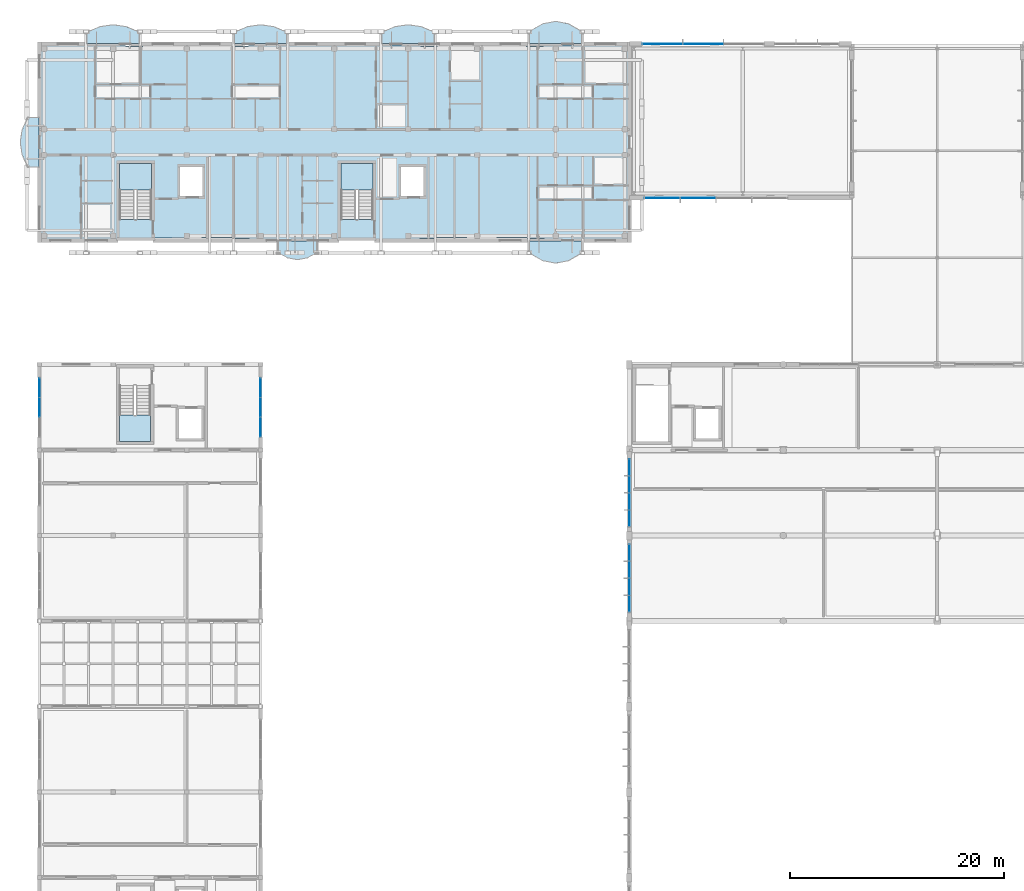
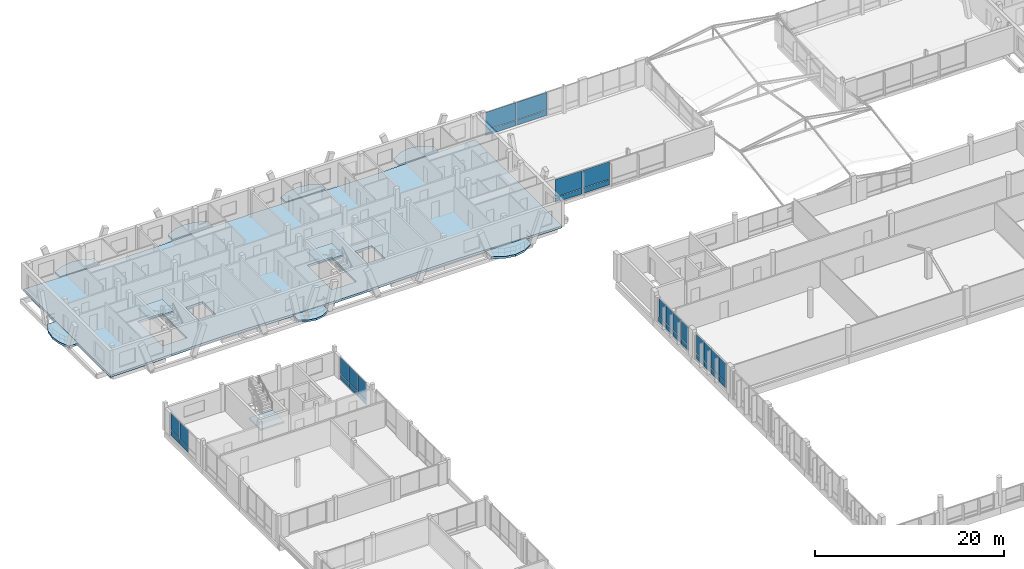
# One storey, part 128 of 189: 34 plates, 11 slabs, 9 elements without a shape of their own.
"""IFC4 building model written with IfcOpenShell, lengths in metres."""

from ifc_helpers import new_model, si_unit, direction, frame, origin, origin_2d, place, context, subcontext, project, spatial, polyline, rectangle, outline, extrude, material, layer, layer_set, type_object, element, aggregate, save


model = new_model("IFC4")

# Units and contexts
model_context = context("Model", 3, precision=1e-05, world=origin(), true_north=direction((0.0, 1.0)))
body_context = subcontext(model_context, "Body", "Model", "MODEL_VIEW")
ifc_project = project(units=[si_unit("LENGTHUNIT", "METRE"), si_unit("AREAUNIT", "SQUARE_METRE"), si_unit("VOLUMEUNIT", "CUBIC_METRE"), si_unit("PLANEANGLEUNIT", "RADIAN"), si_unit("MASSUNIT", "GRAM", prefix="KILO")], contexts=[model_context])

# Site, building, storey
site_placement = place(None, origin())
site = spatial("IfcSite", under=ifc_project, at=site_placement, CompositionType="ELEMENT")
building_placement = place(site_placement, origin())
building = spatial("IfcBuilding", under=site, at=building_placement, Name="Zavelmont Quarter", CompositionType="ELEMENT")
storey_placement = place(building_placement, frame((0.0, 0.0, 4.39990234375)))
storey = spatial("IfcBuildingStorey", under=building, at=storey_placement, Name="L01", CompositionType="ELEMENT", Elevation=4.39990234375)

# Curtain wall, plates
ifc_material_1 = material(Name="Thermally broken aluminium and double low-E safety glazing", Category="aluminium")
curtain_wall_type_1 = type_object("IfcCurtainWallType", Name="CW-640X314", PredefinedType="NOTDEFINED", material=ifc_material_1)
curtain_wall_1_placement = place(storey_placement, origin())
curtain_wall_1 = element("IfcCurtainWall", 1, at=curtain_wall_1_placement, inside=storey, type_object=curtain_wall_type_1, Name="L01 unitised curtain wall CW-640X314", PredefinedType="NOTDEFINED")
ifc_material_2 = material(Name="Insulated anodised-aluminium spandrel panel", Category="aluminium")
ifc_layer_1 = layer(ifc_material_2, 0.0400390625)
ifc_layer_set_1 = layer_set([ifc_layer_1], Name="Insulated anodised-aluminium spandrel panel")
plate_type_1 = type_object("IfcPlateType", Name="CWP-SPD-1495X650", PredefinedType="CURTAIN_PANEL", material=ifc_layer_set_1)
plate_1_placement = place(storey_placement, frame((55.199951171875, 71.617431640625, 0.070068359375), z_axis=(0.0, 0.0, 1.0), x_axis=(0.0, 1.0, 0.0)))
plate_1 = element("IfcPlate", 2, at=plate_1_placement, type_object=plate_type_1, Name="CW-640X314 panel 1.1", PredefinedType="CURTAIN_PANEL", context=body_context, shape_type="SweptSolid", body=[
    extrude(rectangle(XDim=1.4951171875, YDim=0.0400390625, at=origin_2d()), origin(), (0.0, 0.0, 1.0), 0.64990234375),
])
plate_2_placement = place(storey_placement, frame((55.199951171875, 76.382568359375, 0.070068359375), z_axis=(0.0, 0.0, 1.0), x_axis=(0.0, 1.0, 0.0)))
plate_2 = element("IfcPlate", 3, at=plate_2_placement, type_object=plate_type_1, Name="CW-640X314 panel 4.1", PredefinedType="CURTAIN_PANEL", context=body_context, shape_type="SweptSolid", body=[
    extrude(rectangle(XDim=1.4951171875, YDim=0.0400390625, at=origin_2d()), origin(), (0.0, 0.0, 1.0), 0.64990234375),
])

curtain_wall_type_2 = type_object("IfcCurtainWallType", Name="CW-640X334", PredefinedType="NOTDEFINED", material=ifc_material_1)
curtain_wall_2_placement = place(storey_placement, origin())
curtain_wall_2 = element("IfcCurtainWall", 4, at=curtain_wall_2_placement, inside=storey, type_object=curtain_wall_type_2, Name="L01 unitised curtain wall CW-640X334", PredefinedType="NOTDEFINED")
ifc_layer_2 = layer(ifc_material_2, 0.0400390625)
ifc_layer_set_2 = layer_set([ifc_layer_2], Name="Insulated anodised-aluminium spandrel panel")
plate_type_2 = type_object("IfcPlateType", Name="CWP-SPD-1495X695", PredefinedType="CURTAIN_PANEL", material=ifc_layer_set_2)
plate_3_placement = place(storey_placement, frame((55.199951171875, 63.617431640625, 0.0703125), z_axis=(0.0, 0.0, 1.0), x_axis=(0.0, 1.0, 0.0)))
plate_3 = element("IfcPlate", 5, at=plate_3_placement, type_object=plate_type_2, Name="CW-640X334 panel 1.1", PredefinedType="CURTAIN_PANEL", context=body_context, shape_type="SweptSolid", body=[
    extrude(rectangle(XDim=1.4951171875, YDim=0.0400390625, at=origin_2d()), origin(), (0.0, 0.0, 1.0), 0.697021484375),
])
plate_4_placement = place(storey_placement, frame((55.199951171875, 68.382568359375, 0.0703125), z_axis=(0.0, 0.0, 1.0), x_axis=(0.0, 1.0, 0.0)))
plate_4 = element("IfcPlate", 6, at=plate_4_placement, type_object=plate_type_2, Name="CW-640X334 panel 4.1", PredefinedType="CURTAIN_PANEL", context=body_context, shape_type="SweptSolid", body=[
    extrude(rectangle(XDim=1.4951171875, YDim=0.0400390625, at=origin_2d()), origin(), (0.0, 0.0, 1.0), 0.697021484375),
])

# Plate
ifc_layer_3 = layer(ifc_material_2, 0.0400390625)
ifc_layer_set_3 = layer_set([ifc_layer_3], Name="Insulated anodised-aluminium spandrel panel")
plate_type_3 = type_object("IfcPlateType", Name="CWP-SPD-1530X650", PredefinedType="CURTAIN_PANEL", material=ifc_layer_set_3)
plate_5_placement = place(storey_placement, frame((55.199951171875, 73.199951171875, 0.070068359375), z_axis=(0.0, 0.0, 1.0), x_axis=(0.0, 1.0, 0.0)))
plate_5 = element("IfcPlate", 7, at=plate_5_placement, type_object=plate_type_3, Name="CW-640X314 panel 2.1", PredefinedType="CURTAIN_PANEL", context=body_context, shape_type="SweptSolid", body=[
    extrude(rectangle(XDim=1.530029296875, YDim=0.0400390625, at=origin_2d()), origin(), (0.0, 0.0, 1.0), 0.64990234375),
])

plate_6_placement = place(storey_placement, frame((55.199951171875, 74.800048828125, 0.070068359375), z_axis=(0.0, 0.0, 1.0), x_axis=(0.0, 1.0, 0.0)))
plate_6 = element("IfcPlate", 8, at=plate_6_placement, type_object=plate_type_3, Name="CW-640X314 panel 3.1", PredefinedType="CURTAIN_PANEL", context=body_context, shape_type="SweptSolid", body=[
    extrude(rectangle(XDim=1.530029296875, YDim=0.0400390625, at=origin_2d()), origin(), (0.0, 0.0, 1.0), 0.64990234375),
])

ifc_layer_4 = layer(ifc_material_2, 0.0400390625)
ifc_layer_set_4 = layer_set([ifc_layer_4], Name="Insulated anodised-aluminium spandrel panel")
plate_type_4 = type_object("IfcPlateType", Name="CWP-SPD-1530X695", PredefinedType="CURTAIN_PANEL", material=ifc_layer_set_4)
plate_7_placement = place(storey_placement, frame((55.199951171875, 65.199951171875, 0.0703125), z_axis=(0.0, 0.0, 1.0), x_axis=(0.0, 1.0, 0.0)))
plate_7 = element("IfcPlate", 9, at=plate_7_placement, type_object=plate_type_4, Name="CW-640X334 panel 2.1", PredefinedType="CURTAIN_PANEL", context=body_context, shape_type="SweptSolid", body=[
    extrude(rectangle(XDim=1.530029296875, YDim=0.0400390625, at=origin_2d()), origin(), (0.0, 0.0, 1.0), 0.697021484375),
])

plate_8_placement = place(storey_placement, frame((55.199951171875, 66.800048828125, 0.0703125), z_axis=(0.0, 0.0, 1.0), x_axis=(0.0, 1.0, 0.0)))
plate_8 = element("IfcPlate", 10, at=plate_8_placement, type_object=plate_type_4, Name="CW-640X334 panel 3.1", PredefinedType="CURTAIN_PANEL", context=body_context, shape_type="SweptSolid", body=[
    extrude(rectangle(XDim=1.530029296875, YDim=0.0400390625, at=origin_2d()), origin(), (0.0, 0.0, 1.0), 0.697021484375),
])

# Curtain wall, plate
curtain_wall_type_3 = type_object("IfcCurtainWallType", Name="CW-560X296", PredefinedType="NOTDEFINED", material=ifc_material_1)
curtain_wall_3_placement = place(storey_placement, origin())
curtain_wall_3 = element("IfcCurtainWall", 11, at=curtain_wall_3_placement, inside=storey, type_object=curtain_wall_type_3, Name="L01 unitised curtain wall CW-560X296", PredefinedType="NOTDEFINED")
ifc_layer_5 = layer(ifc_material_2, 0.0400390625)
ifc_layer_set_5 = layer_set([ifc_layer_5], Name="Insulated anodised-aluminium spandrel panel")
plate_type_5 = type_object("IfcPlateType", Name="CWP-SPD-1775X620", PredefinedType="CURTAIN_PANEL", material=ifc_layer_set_5)
plate_9_placement = place(storey_placement, frame((0.0, 83.8515625, 0.06005859375), z_axis=(0.0, 0.0, 1.0), x_axis=(0.0, 1.0, 0.0)))
plate_9 = element("IfcPlate", 12, at=plate_9_placement, type_object=plate_type_5, Name="CW-560X296 panel 3.1", PredefinedType="CURTAIN_PANEL", context=body_context, shape_type="SweptSolid", body=[
    extrude(rectangle(XDim=1.776611328125, YDim=0.0400390625, at=origin_2d()), origin(), (0.0, 0.0, 1.0), 0.6201171875),
])

# Curtain wall, plates
curtain_wall_4_placement = place(storey_placement, origin())
curtain_wall_4 = element("IfcCurtainWall", 13, at=curtain_wall_4_placement, inside=storey, type_object=curtain_wall_type_3, Name="L01 unitised curtain wall CW-560X296", PredefinedType="NOTDEFINED")
plate_10_placement = place(storey_placement, frame((20.699951171875, 80.1484375, 0.06005859375), z_axis=(0.0, 0.0, 1.0), x_axis=(0.0, 1.0, 0.0)))
plate_10 = element("IfcPlate", 14, at=plate_10_placement, type_object=plate_type_5, Name="CW-560X296 panel 1.1", PredefinedType="CURTAIN_PANEL", context=body_context, shape_type="SweptSolid", body=[
    extrude(rectangle(XDim=1.776611328125, YDim=0.0400390625, at=origin_2d()), origin(), (0.0, 0.0, 1.0), 0.6201171875),
])
plate_11_placement = place(storey_placement, frame((20.699951171875, 83.8515625, 0.06005859375), z_axis=(0.0, 0.0, 1.0), x_axis=(0.0, 1.0, 0.0)))
plate_11 = element("IfcPlate", 15, at=plate_11_placement, type_object=plate_type_5, Name="CW-560X296 panel 3.1", PredefinedType="CURTAIN_PANEL", context=body_context, shape_type="SweptSolid", body=[
    extrude(rectangle(XDim=1.776611328125, YDim=0.0400390625, at=origin_2d()), origin(), (0.0, 0.0, 1.0), 0.6201171875),
])

# Plate
ifc_layer_6 = layer(ifc_material_2, 0.0400390625)
ifc_layer_set_6 = layer_set([ifc_layer_6], Name="Insulated anodised-aluminium spandrel panel")
plate_type_6 = type_object("IfcPlateType", Name="CWP-SPD-1805X620", PredefinedType="CURTAIN_PANEL", material=ifc_layer_set_6)
plate_12_placement = place(storey_placement, frame((0.0, 82.0, 0.06005859375), z_axis=(0.0, 0.0, 1.0), x_axis=(0.0, 1.0, 0.0)))
plate_12 = element("IfcPlate", 16, at=plate_12_placement, type_object=plate_type_6, Name="CW-560X296 panel 2.1", PredefinedType="CURTAIN_PANEL", context=body_context, shape_type="SweptSolid", body=[
    extrude(rectangle(XDim=1.806640625, YDim=0.0400390625, at=origin_2d()), origin(), (0.0, 0.0, 1.0), 0.6201171875),
])

plate_13_placement = place(storey_placement, frame((20.699951171875, 82.0, 0.06005859375), z_axis=(0.0, 0.0, 1.0), x_axis=(0.0, 1.0, 0.0)))
plate_13 = element("IfcPlate", 17, at=plate_13_placement, type_object=plate_type_6, Name="CW-560X296 panel 2.1", PredefinedType="CURTAIN_PANEL", context=body_context, shape_type="SweptSolid", body=[
    extrude(rectangle(XDim=1.806640625, YDim=0.0400390625, at=origin_2d()), origin(), (0.0, 0.0, 1.0), 0.6201171875),
])

# Curtain wall, plates
curtain_wall_type_4 = type_object("IfcCurtainWallType", Name="CW-1340X310", PredefinedType="NOTDEFINED", material=ifc_material_1)
curtain_wall_5_placement = place(storey_placement, origin())
curtain_wall_5 = element("IfcCurtainWall", 18, at=curtain_wall_5_placement, inside=storey, type_object=curtain_wall_type_4, Name="L01 unitised curtain wall CW-1340X310", PredefinedType="NOTDEFINED")
ifc_layer_7 = layer(ifc_material_2, 0.0400390625)
ifc_layer_set_7 = layer_set([ifc_layer_7], Name="Insulated anodised-aluminium spandrel panel")
plate_type_7 = type_object("IfcPlateType", Name="CWP-SPD-3260X655", PredefinedType="CURTAIN_PANEL", material=ifc_layer_set_7)
plate_14_placement = place(storey_placement, frame((58.2900390625, 101.60009765625, 0.06005859375), z_axis=(0.0, 0.0, 1.0), x_axis=(1.0, 0.0, 0.0)))
plate_14 = element("IfcPlate", 19, at=plate_14_placement, type_object=plate_type_7, Name="CW-1340X310 panel 1.1", PredefinedType="CURTAIN_PANEL", context=body_context, shape_type="SweptSolid", body=[
    extrude(rectangle(XDim=3.260009765625, YDim=0.0400390625, at=origin_2d()), origin(), (0.0, 0.0, 1.0), 0.654052734375),
])
ifc_layer_8 = layer(ifc_material_2, 0.0400390625)
ifc_layer_set_8 = layer_set([ifc_layer_8], Name="Insulated anodised-aluminium spandrel panel")
plate_type_8 = type_object("IfcPlateType", Name="CWP-SPD-3290X655", PredefinedType="CURTAIN_PANEL", material=ifc_layer_set_8)
plate_15_placement = place(storey_placement, frame((61.625, 101.60009765625, 0.06005859375), z_axis=(0.0, 0.0, 1.0), x_axis=(1.0, 0.0, 0.0)))
plate_15 = element("IfcPlate", 20, at=plate_15_placement, type_object=plate_type_8, Name="CW-1340X310 panel 2.1", PredefinedType="CURTAIN_PANEL", context=body_context, shape_type="SweptSolid", body=[
    extrude(rectangle(XDim=3.2900390625, YDim=0.0400390625, at=origin_2d()), origin(), (0.0, 0.0, 1.0), 0.654052734375),
])

curtain_wall_type_5 = type_object("IfcCurtainWallType", Name="CW-1140X310", PredefinedType="NOTDEFINED", material=ifc_material_1)
curtain_wall_6_placement = place(storey_placement, origin())
curtain_wall_6 = element("IfcCurtainWall", 21, at=curtain_wall_6_placement, inside=storey, type_object=curtain_wall_type_5, Name="L01 unitised curtain wall CW-1140X310", PredefinedType="NOTDEFINED")
ifc_layer_9 = layer(ifc_material_2, 0.0400390625)
ifc_layer_set_9 = layer_set([ifc_layer_9], Name="Insulated anodised-aluminium spandrel panel")
plate_type_9 = type_object("IfcPlateType", Name="CWP-SPD-3710X655", PredefinedType="CURTAIN_PANEL", material=ifc_layer_set_9)
plate_16_placement = place(storey_placement, frame((58.31494140625, 116.0, 0.06005859375), z_axis=(0.0, 0.0, 1.0), x_axis=(1.0, 0.0, 0.0)))
plate_16 = element("IfcPlate", 22, at=plate_16_placement, type_object=plate_type_9, Name="CW-1140X310 panel 1.1", PredefinedType="CURTAIN_PANEL", context=body_context, shape_type="SweptSolid", body=[
    extrude(rectangle(XDim=3.7099609375, YDim=0.0400390625, at=origin_2d()), origin(), (0.0, 0.0, 1.0), 0.654052734375),
])
ifc_layer_10 = layer(ifc_material_2, 0.0400390625)
ifc_layer_set_10 = layer_set([ifc_layer_10], Name="Insulated anodised-aluminium spandrel panel")
plate_type_10 = type_object("IfcPlateType", Name="CWP-SPD-3740X655", PredefinedType="CURTAIN_PANEL", material=ifc_layer_set_10)
plate_17_placement = place(storey_placement, frame((62.10009765625, 116.0, 0.06005859375), z_axis=(0.0, 0.0, 1.0), x_axis=(1.0, 0.0, 0.0)))
plate_17 = element("IfcPlate", 23, at=plate_17_placement, type_object=plate_type_10, Name="CW-1140X310 panel 2.1", PredefinedType="CURTAIN_PANEL", context=body_context, shape_type="SweptSolid", body=[
    extrude(rectangle(XDim=3.739990234375, YDim=0.0400390625, at=origin_2d()), origin(), (0.0, 0.0, 1.0), 0.654052734375),
])

# Plate
ifc_material_3 = material(Name="Double low-E insulated vision glass", Category="glass")
ifc_layer_11 = layer(ifc_material_3, 0.028076171875)
ifc_layer_set_11 = layer_set([ifc_layer_11], Name="Double low-E insulated vision glass")
plate_type_11 = type_object("IfcPlateType", Name="CWP-VIS-1495X2285", PredefinedType="CURTAIN_PANEL", material=ifc_layer_set_11)
plate_18_placement = place(storey_placement, frame((55.199951171875, 71.617431640625, 0.7900390625), z_axis=(0.0, 0.0, 1.0), x_axis=(0.0, 1.0, 0.0)))
plate_18 = element("IfcPlate", 24, at=plate_18_placement, type_object=plate_type_11, Name="CW-640X314 panel 1.2", PredefinedType="CURTAIN_PANEL", context=body_context, shape_type="SweptSolid", body=[
    extrude(rectangle(XDim=1.4951171875, YDim=0.028076171875, at=origin_2d()), origin(), (0.0, 0.0, 1.0), 2.284912109375),
])

plate_19_placement = place(storey_placement, frame((55.199951171875, 76.382568359375, 0.7900390625), z_axis=(0.0, 0.0, 1.0), x_axis=(0.0, 1.0, 0.0)))
plate_19 = element("IfcPlate", 25, at=plate_19_placement, type_object=plate_type_11, Name="CW-640X314 panel 4.2", PredefinedType="CURTAIN_PANEL", context=body_context, shape_type="SweptSolid", body=[
    extrude(rectangle(XDim=1.4951171875, YDim=0.028076171875, at=origin_2d()), origin(), (0.0, 0.0, 1.0), 2.284912109375),
])

ifc_layer_12 = layer(ifc_material_3, 0.028076171875)
ifc_layer_set_12 = layer_set([ifc_layer_12], Name="Double low-E insulated vision glass")
plate_type_12 = type_object("IfcPlateType", Name="CWP-VIS-1495X2435", PredefinedType="CURTAIN_PANEL", material=ifc_layer_set_12)
plate_20_placement = place(storey_placement, frame((55.199951171875, 63.617431640625, 0.837158203125), z_axis=(0.0, 0.0, 1.0), x_axis=(0.0, 1.0, 0.0)))
plate_20 = element("IfcPlate", 26, at=plate_20_placement, type_object=plate_type_12, Name="CW-640X334 panel 1.2", PredefinedType="CURTAIN_PANEL", context=body_context, shape_type="SweptSolid", body=[
    extrude(rectangle(XDim=1.4951171875, YDim=0.028076171875, at=origin_2d()), origin(), (0.0, 0.0, 1.0), 2.43310546875),
])

plate_21_placement = place(storey_placement, frame((55.199951171875, 68.382568359375, 0.837158203125), z_axis=(0.0, 0.0, 1.0), x_axis=(0.0, 1.0, 0.0)))
plate_21 = element("IfcPlate", 27, at=plate_21_placement, type_object=plate_type_12, Name="CW-640X334 panel 4.2", PredefinedType="CURTAIN_PANEL", context=body_context, shape_type="SweptSolid", body=[
    extrude(rectangle(XDim=1.4951171875, YDim=0.028076171875, at=origin_2d()), origin(), (0.0, 0.0, 1.0), 2.43310546875),
])

ifc_layer_13 = layer(ifc_material_3, 0.028076171875)
ifc_layer_set_13 = layer_set([ifc_layer_13], Name="Double low-E insulated vision glass")
plate_type_13 = type_object("IfcPlateType", Name="CWP-VIS-1530X2285", PredefinedType="CURTAIN_PANEL", material=ifc_layer_set_13)
plate_22_placement = place(storey_placement, frame((55.199951171875, 73.199951171875, 0.7900390625), z_axis=(0.0, 0.0, 1.0), x_axis=(0.0, 1.0, 0.0)))
plate_22 = element("IfcPlate", 28, at=plate_22_placement, type_object=plate_type_13, Name="CW-640X314 panel 2.2", PredefinedType="CURTAIN_PANEL", context=body_context, shape_type="SweptSolid", body=[
    extrude(rectangle(XDim=1.530029296875, YDim=0.028076171875, at=origin_2d()), origin(), (0.0, 0.0, 1.0), 2.284912109375),
])

plate_23_placement = place(storey_placement, frame((55.199951171875, 74.800048828125, 0.7900390625), z_axis=(0.0, 0.0, 1.0), x_axis=(0.0, 1.0, 0.0)))
plate_23 = element("IfcPlate", 29, at=plate_23_placement, type_object=plate_type_13, Name="CW-640X314 panel 3.2", PredefinedType="CURTAIN_PANEL", context=body_context, shape_type="SweptSolid", body=[
    extrude(rectangle(XDim=1.530029296875, YDim=0.028076171875, at=origin_2d()), origin(), (0.0, 0.0, 1.0), 2.284912109375),
])

aggregate(curtain_wall_1, [plate_1, plate_18, plate_5, plate_22, plate_6, plate_23, plate_2, plate_19])

ifc_layer_14 = layer(ifc_material_3, 0.028076171875)
ifc_layer_set_14 = layer_set([ifc_layer_14], Name="Double low-E insulated vision glass")
plate_type_14 = type_object("IfcPlateType", Name="CWP-VIS-1530X2435", PredefinedType="CURTAIN_PANEL", material=ifc_layer_set_14)
plate_24_placement = place(storey_placement, frame((55.199951171875, 65.199951171875, 0.837158203125), z_axis=(0.0, 0.0, 1.0), x_axis=(0.0, 1.0, 0.0)))
plate_24 = element("IfcPlate", 30, at=plate_24_placement, type_object=plate_type_14, Name="CW-640X334 panel 2.2", PredefinedType="CURTAIN_PANEL", context=body_context, shape_type="SweptSolid", body=[
    extrude(rectangle(XDim=1.530029296875, YDim=0.028076171875, at=origin_2d()), origin(), (0.0, 0.0, 1.0), 2.43310546875),
])

plate_25_placement = place(storey_placement, frame((55.199951171875, 66.800048828125, 0.837158203125), z_axis=(0.0, 0.0, 1.0), x_axis=(0.0, 1.0, 0.0)))
plate_25 = element("IfcPlate", 31, at=plate_25_placement, type_object=plate_type_14, Name="CW-640X334 panel 3.2", PredefinedType="CURTAIN_PANEL", context=body_context, shape_type="SweptSolid", body=[
    extrude(rectangle(XDim=1.530029296875, YDim=0.028076171875, at=origin_2d()), origin(), (0.0, 0.0, 1.0), 2.43310546875),
])

aggregate(curtain_wall_2, [plate_3, plate_20, plate_7, plate_24, plate_8, plate_25, plate_4, plate_21])

ifc_layer_15 = layer(ifc_material_3, 0.028076171875)
ifc_layer_set_15 = layer_set([ifc_layer_15], Name="Double low-E insulated vision glass")
plate_type_15 = type_object("IfcPlateType", Name="CWP-VIS-1775X2160", PredefinedType="CURTAIN_PANEL", material=ifc_layer_set_15)
plate_26_placement = place(storey_placement, frame((0.0, 83.8515625, 0.740234375), z_axis=(0.0, 0.0, 1.0), x_axis=(0.0, 1.0, 0.0)))
plate_26 = element("IfcPlate", 32, at=plate_26_placement, type_object=plate_type_15, Name="CW-560X296 panel 3.2", PredefinedType="CURTAIN_PANEL", context=body_context, shape_type="SweptSolid", body=[
    extrude(rectangle(XDim=1.776611328125, YDim=0.028076171875, at=origin_2d()), origin(), (0.0, 0.0, 1.0), 2.159912109375),
])

plate_27_placement = place(storey_placement, frame((20.699951171875, 80.1484375, 0.740234375), z_axis=(0.0, 0.0, 1.0), x_axis=(0.0, 1.0, 0.0)))
plate_27 = element("IfcPlate", 33, at=plate_27_placement, type_object=plate_type_15, Name="CW-560X296 panel 1.2", PredefinedType="CURTAIN_PANEL", context=body_context, shape_type="SweptSolid", body=[
    extrude(rectangle(XDim=1.776611328125, YDim=0.028076171875, at=origin_2d()), origin(), (0.0, 0.0, 1.0), 2.159912109375),
])

plate_28_placement = place(storey_placement, frame((20.699951171875, 83.8515625, 0.740234375), z_axis=(0.0, 0.0, 1.0), x_axis=(0.0, 1.0, 0.0)))
plate_28 = element("IfcPlate", 34, at=plate_28_placement, type_object=plate_type_15, Name="CW-560X296 panel 3.2", PredefinedType="CURTAIN_PANEL", context=body_context, shape_type="SweptSolid", body=[
    extrude(rectangle(XDim=1.776611328125, YDim=0.028076171875, at=origin_2d()), origin(), (0.0, 0.0, 1.0), 2.159912109375),
])

ifc_layer_16 = layer(ifc_material_3, 0.028076171875)
ifc_layer_set_16 = layer_set([ifc_layer_16], Name="Double low-E insulated vision glass")
plate_type_16 = type_object("IfcPlateType", Name="CWP-VIS-1805X2160", PredefinedType="CURTAIN_PANEL", material=ifc_layer_set_16)
plate_29_placement = place(storey_placement, frame((0.0, 82.0, 0.740234375), z_axis=(0.0, 0.0, 1.0), x_axis=(0.0, 1.0, 0.0)))
plate_29 = element("IfcPlate", 35, at=plate_29_placement, type_object=plate_type_16, Name="CW-560X296 panel 2.2", PredefinedType="CURTAIN_PANEL", context=body_context, shape_type="SweptSolid", body=[
    extrude(rectangle(XDim=1.806640625, YDim=0.028076171875, at=origin_2d()), origin(), (0.0, 0.0, 1.0), 2.159912109375),
])

aggregate(curtain_wall_3, [plate_12, plate_29, plate_9, plate_26])

plate_30_placement = place(storey_placement, frame((20.699951171875, 82.0, 0.740234375), z_axis=(0.0, 0.0, 1.0), x_axis=(0.0, 1.0, 0.0)))
plate_30 = element("IfcPlate", 36, at=plate_30_placement, type_object=plate_type_16, Name="CW-560X296 panel 2.2", PredefinedType="CURTAIN_PANEL", context=body_context, shape_type="SweptSolid", body=[
    extrude(rectangle(XDim=1.806640625, YDim=0.028076171875, at=origin_2d()), origin(), (0.0, 0.0, 1.0), 2.159912109375),
])

aggregate(curtain_wall_4, [plate_10, plate_27, plate_13, plate_30, plate_11, plate_28])

ifc_layer_17 = layer(ifc_material_3, 0.028076171875)
ifc_layer_set_17 = layer_set([ifc_layer_17], Name="Double low-E insulated vision glass")
plate_type_17 = type_object("IfcPlateType", Name="CWP-VIS-3260X2265", PredefinedType="CURTAIN_PANEL", material=ifc_layer_set_17)
plate_31_placement = place(storey_placement, frame((58.2900390625, 101.60009765625, 0.77392578125), z_axis=(0.0, 0.0, 1.0), x_axis=(1.0, 0.0, 0.0)))
plate_31 = element("IfcPlate", 37, at=plate_31_placement, type_object=plate_type_17, Name="CW-1340X310 panel 1.2", PredefinedType="CURTAIN_PANEL", context=body_context, shape_type="SweptSolid", body=[
    extrude(rectangle(XDim=3.260009765625, YDim=0.028076171875, at=origin_2d()), origin(), (0.0, 0.0, 1.0), 2.26611328125),
])

ifc_layer_18 = layer(ifc_material_3, 0.028076171875)
ifc_layer_set_18 = layer_set([ifc_layer_18], Name="Double low-E insulated vision glass")
plate_type_18 = type_object("IfcPlateType", Name="CWP-VIS-3290X2265", PredefinedType="CURTAIN_PANEL", material=ifc_layer_set_18)
plate_32_placement = place(storey_placement, frame((61.625, 101.60009765625, 0.77392578125), z_axis=(0.0, 0.0, 1.0), x_axis=(1.0, 0.0, 0.0)))
plate_32 = element("IfcPlate", 38, at=plate_32_placement, type_object=plate_type_18, Name="CW-1340X310 panel 2.2", PredefinedType="CURTAIN_PANEL", context=body_context, shape_type="SweptSolid", body=[
    extrude(rectangle(XDim=3.2900390625, YDim=0.028076171875, at=origin_2d()), origin(), (0.0, 0.0, 1.0), 2.26611328125),
])

aggregate(curtain_wall_5, [plate_14, plate_31, plate_15, plate_32])

ifc_layer_19 = layer(ifc_material_3, 0.028076171875)
ifc_layer_set_19 = layer_set([ifc_layer_19], Name="Double low-E insulated vision glass")
plate_type_19 = type_object("IfcPlateType", Name="CWP-VIS-3710X2265", PredefinedType="CURTAIN_PANEL", material=ifc_layer_set_19)
plate_33_placement = place(storey_placement, frame((58.31494140625, 116.0, 0.77392578125), z_axis=(0.0, 0.0, 1.0), x_axis=(1.0, 0.0, 0.0)))
plate_33 = element("IfcPlate", 39, at=plate_33_placement, type_object=plate_type_19, Name="CW-1140X310 panel 1.2", PredefinedType="CURTAIN_PANEL", context=body_context, shape_type="SweptSolid", body=[
    extrude(rectangle(XDim=3.7099609375, YDim=0.028076171875, at=origin_2d()), origin(), (0.0, 0.0, 1.0), 2.26611328125),
])

ifc_layer_20 = layer(ifc_material_3, 0.028076171875)
ifc_layer_set_20 = layer_set([ifc_layer_20], Name="Double low-E insulated vision glass")
plate_type_20 = type_object("IfcPlateType", Name="CWP-VIS-3740X2265", PredefinedType="CURTAIN_PANEL", material=ifc_layer_set_20)
plate_34_placement = place(storey_placement, frame((62.10009765625, 116.0, 0.77392578125), z_axis=(0.0, 0.0, 1.0), x_axis=(1.0, 0.0, 0.0)))
plate_34 = element("IfcPlate", 40, at=plate_34_placement, type_object=plate_type_20, Name="CW-1140X310 panel 2.2", PredefinedType="CURTAIN_PANEL", context=body_context, shape_type="SweptSolid", body=[
    extrude(rectangle(XDim=3.739990234375, YDim=0.028076171875, at=origin_2d()), origin(), (0.0, 0.0, 1.0), 2.26611328125),
])

aggregate(curtain_wall_6, [plate_16, plate_33, plate_17, plate_34])

# Slabs
ifc_material_4 = material(Name="White architectural precast concrete C40/50", Category="concrete")
ifc_layer_21 = layer(ifc_material_4, 0.235107421875)
ifc_layer_set_21 = layer_set([ifc_layer_21], Name="White architectural precast concrete C40/50")
slab_type_1 = type_object("IfcSlabType", Name="SL-BL180", PredefinedType="FLOOR", material=ifc_layer_set_21)
slab_1_placement = place(storey_placement, frame((0.0, 0.0, -0.23486328125)))
element("IfcSlab", 41, at=slab_1_placement, inside=storey, type_object=slab_type_1, Name="L01 Block B street vase 1 balcony SL-BL180", PredefinedType="FLOOR", context=body_context, shape_type="SweptSolid", body=[
    extrude(outline(polyline([(9.339111328125, 116.02001953125), (9.339111328125, 117.10009765625), (8.11962890625, 117.617431640625), (6.89990234375, 117.7900390625), (5.680419921875, 117.617431640625), (4.460693359375, 117.10009765625), (4.460693359375, 116.02001953125), (9.339111328125, 116.02001953125)])), origin(), (0.0, 0.0, 1.0), 0.23486328125),
])
slab_2_placement = place(storey_placement, frame((0.0, 0.0, -0.23486328125)))
element("IfcSlab", 42, at=slab_2_placement, inside=storey, type_object=slab_type_1, Name="L01 Block B street vase 4 balcony SL-BL180", PredefinedType="FLOOR", context=body_context, shape_type="SweptSolid", body=[
    extrude(outline(polyline([(50.726806640625, 116.02001953125), (50.726806640625, 117.1826171875), (49.51318359375, 117.879638671875), (48.300048828125, 118.112060546875), (47.086669921875, 117.879638671875), (45.873291015625, 117.1826171875), (45.873291015625, 116.02001953125), (50.726806640625, 116.02001953125)])), origin(), (0.0, 0.0, 1.0), 0.23486328125),
])
slab_3_placement = place(storey_placement, frame((0.0, 0.0, -0.23486328125)))
element("IfcSlab", 43, at=slab_3_placement, inside=storey, type_object=slab_type_1, Name="L01 Block B courtyard central vase balcony SL-BL180", PredefinedType="FLOOR", context=body_context, shape_type="SweptSolid", body=[
    extrude(outline(polyline([(22.3046875, 97.580078125), (22.3046875, 96.5), (23.227294921875, 95.982421875), (24.14990234375, 95.81005859375), (25.072509765625, 95.982421875), (25.995361328125, 96.5), (25.995361328125, 97.580078125), (22.3046875, 97.580078125)])), origin(), (0.0, 0.0, 1.0), 0.23486328125),
])
ifc_layer_22 = layer(ifc_material_4, 0.2451171875)
ifc_layer_set_22 = layer_set([ifc_layer_22], Name="White architectural precast concrete C40/50")
slab_type_2 = type_object("IfcSlabType", Name="SL-BL200", PredefinedType="FLOOR", material=ifc_layer_set_22)
slab_4_placement = place(storey_placement, frame((0.0, 0.0, -0.244873046875)))
element("IfcSlab", 44, at=slab_4_placement, inside=storey, type_object=slab_type_2, Name="L01 Block B street vase 3 balcony SL-BL200", PredefinedType="FLOOR", context=body_context, shape_type="SweptSolid", body=[
    extrude(outline(polyline([(36.939208984375, 116.02001953125), (36.939208984375, 117.10009765625), (35.719482421875, 117.617431640625), (34.5, 117.7900390625), (33.280517578125, 117.617431640625), (32.060791015625, 117.10009765625), (32.060791015625, 116.02001953125), (36.939208984375, 116.02001953125)])), origin(), (0.0, 0.0, 1.0), 0.244873046875),
])
slab_5_placement = place(storey_placement, frame((0.0, 0.0, -0.244873046875)))
element("IfcSlab", 45, at=slab_5_placement, inside=storey, type_object=slab_type_2, Name="L01 Block B courtyard outer vase balcony SL-BL200", PredefinedType="FLOOR", context=body_context, shape_type="SweptSolid", body=[
    extrude(outline(polyline([(45.873291015625, 97.580078125), (45.873291015625, 96.417236328125), (47.086669921875, 95.72021484375), (48.300048828125, 95.488037109375), (49.51318359375, 95.72021484375), (50.726806640625, 96.417236328125), (50.726806640625, 97.580078125), (45.873291015625, 97.580078125)])), origin(), (0.0, 0.0, 1.0), 0.244873046875),
])
ifc_layer_23 = layer(ifc_material_4, 0.2548828125)
ifc_layer_set_23 = layer_set([ifc_layer_23], Name="White architectural precast concrete C40/50")
slab_type_3 = type_object("IfcSlabType", Name="SL-BL220", PredefinedType="FLOOR", material=ifc_layer_set_23)
slab_6_placement = place(storey_placement, frame((0.0, 0.0, -0.2548828125)))
element("IfcSlab", 46, at=slab_6_placement, inside=storey, type_object=slab_type_3, Name="L01 Block B street vase 2 balcony SL-BL220", PredefinedType="FLOOR", context=body_context, shape_type="SweptSolid", body=[
    extrude(outline(polyline([(23.13916015625, 116.02001953125), (23.13916015625, 117.10009765625), (21.919677734375, 117.617431640625), (20.699951171875, 117.7900390625), (19.48046875, 117.617431640625), (18.2607421875, 117.10009765625), (18.2607421875, 116.02001953125), (23.13916015625, 116.02001953125)])), origin(), (0.0, 0.0, 1.0), 0.2548828125),
])
slab_7_placement = place(storey_placement, frame((0.0, 0.0, -0.2548828125)))
element("IfcSlab", 47, at=slab_7_placement, inside=storey, type_object=slab_type_3, Name="L01 Block B boulevard vase balcony SL-BL220", PredefinedType="FLOOR", context=body_context, shape_type="SweptSolid", body=[
    extrude(outline(polyline([(-0.02001953125, 109.13671875), (-1.10009765625, 109.13671875), (-1.617431640625, 107.968505859375), (-1.7900390625, 106.800048828125), (-1.617431640625, 105.631591796875), (-1.10009765625, 104.463134765625), (-0.02001953125, 104.463134765625), (-0.02001953125, 109.13671875)])), origin(), (0.0, 0.0, 1.0), 0.2548828125),
])
ifc_material_5 = material(Name="Concrete C40/50", Category="concrete")
ifc_layer_24 = layer(ifc_material_5, 0.280029296875)
ifc_layer_set_24 = layer_set([ifc_layer_24], Name="Concrete C40/50")
slab_type_4 = type_object("IfcSlabType", Name="SL-FL280", PredefinedType="FLOOR", material=ifc_layer_set_24)
slab_8_placement = place(storey_placement, frame((0.0, 0.0, -0.27978515625)))
element("IfcSlab", 48, at=slab_8_placement, inside=storey, type_object=slab_type_4, Name="L01 Block B floor slab SL-FL280", PredefinedType="FLOOR", context=body_context, shape_type="SweptSolid", body=[
    extrude(outline(polyline([(0.0, 97.60009765625), (3.449951171875, 97.64111328125), (6.89990234375, 97.739990234375), (10.35009765625, 97.839111328125), (13.800048828125, 97.8798828125), (17.25, 97.839111328125), (20.699951171875, 97.739990234375), (24.14990234375, 97.64111328125), (27.60009765625, 97.60009765625), (31.050048828125, 97.64111328125), (34.5, 97.739990234375), (37.949951171875, 97.839111328125), (41.39990234375, 97.8798828125), (44.85009765625, 97.839111328125), (48.300048828125, 97.739990234375), (51.75, 97.64111328125), (55.199951171875, 97.60009765625), (55.199951171875, 101.280029296875), (55.199951171875, 104.9599609375), (55.199951171875, 108.639892578125), (55.199951171875, 112.320068359375), (55.199951171875, 116.0), (51.75, 115.958984375), (48.300048828125, 115.860107421875), (44.85009765625, 115.760986328125), (41.39990234375, 115.719970703125), (37.949951171875, 115.760986328125), (34.5, 115.860107421875), (31.050048828125, 115.958984375), (27.60009765625, 116.0), (24.14990234375, 115.958984375), (20.699951171875, 115.860107421875), (17.25, 115.760986328125), (13.800048828125, 115.719970703125), (10.35009765625, 115.760986328125), (6.89990234375, 115.860107421875), (3.449951171875, 115.958984375), (0.0, 116.0), (0.0, 112.320068359375), (0.0, 108.639892578125), (0.0, 104.9599609375), (0.0, 101.280029296875), (0.0, 97.60009765625)]), holes=[polyline([(10.5, 99.574951171875), (10.5, 104.800048828125), (7.5, 104.800048828125), (7.5, 99.574951171875), (10.5, 99.574951171875)]), polyline([(13.14990234375, 101.75), (15.25, 101.75), (15.25, 104.5), (13.14990234375, 104.5), (13.14990234375, 101.75)]), polyline([(31.199951171875, 99.574951171875), (31.199951171875, 104.800048828125), (28.199951171875, 104.800048828125), (28.199951171875, 99.574951171875), (31.199951171875, 99.574951171875)]), polyline([(33.85009765625, 101.75), (35.949951171875, 101.75), (35.949951171875, 104.5), (33.85009765625, 104.5), (33.85009765625, 101.75)])]), origin(), (0.0, 0.0, 1.0), 0.27978515625),
])

# Stair, slab
ifc_material_6 = material(Name="Concrete C35/45", Category="concrete")
stair_type_1 = type_object("IfcStairType", Name="STR-1400-1800", PredefinedType="HALF_TURN_STAIR", material=ifc_material_6)
stair_1_placement = place(storey_placement, origin())
stair_1 = element("IfcStair", 49, at=stair_1_placement, inside=storey, type_object=stair_type_1, Name="L01 protected stair ST03", PredefinedType="HALF_TURN_STAIR")
ifc_layer_25 = layer(ifc_material_6, 0.199951171875)
ifc_layer_set_25 = layer_set([ifc_layer_25], Name="Concrete C35/45")
slab_type_5 = type_object("IfcSlabType", Name="SL-LND200", PredefinedType="LANDING", material=ifc_layer_set_25)
slab_9_placement = place(storey_placement, frame((0.0, 0.0, 1.60009765625)))
slab_9 = element("IfcSlab", 50, at=slab_9_placement, type_object=slab_type_5, Name="ST03 landing 1", PredefinedType="LANDING", context=body_context, shape_type="SweptSolid", body=[
    extrude(outline(polyline([(10.5, 102.340087890625), (10.5, 104.800048828125), (7.5, 104.800048828125), (7.5, 102.340087890625), (10.5, 102.340087890625)])), origin(), (0.0, 0.0, 1.0), 0.199951171875),
])
aggregate(stair_1, [slab_9])

stair_2_placement = place(storey_placement, origin())
stair_2 = element("IfcStair", 51, at=stair_2_placement, inside=storey, type_object=stair_type_1, Name="L01 protected stair ST04", PredefinedType="HALF_TURN_STAIR")
slab_10_placement = place(storey_placement, frame((0.0, 0.0, 1.60009765625)))
slab_10 = element("IfcSlab", 52, at=slab_10_placement, type_object=slab_type_5, Name="ST04 landing 1", PredefinedType="LANDING", context=body_context, shape_type="SweptSolid", body=[
    extrude(outline(polyline([(31.199951171875, 102.340087890625), (31.199951171875, 104.800048828125), (28.199951171875, 104.800048828125), (28.199951171875, 102.340087890625), (31.199951171875, 102.340087890625)])), origin(), (0.0, 0.0, 1.0), 0.199951171875),
])
aggregate(stair_2, [slab_10])

stair_type_2 = type_object("IfcStairType", Name="STR-1350-1800", PredefinedType="HALF_TURN_STAIR", material=ifc_material_6)
stair_3_placement = place(storey_placement, origin())
stair_3 = element("IfcStair", 53, at=stair_3_placement, inside=storey, type_object=stair_type_2, Name="L01 protected stair ST14", PredefinedType="HALF_TURN_STAIR")
slab_11_placement = place(storey_placement, frame((0.0, 0.0, 1.60009765625)))
slab_11 = element("IfcSlab", 54, at=slab_11_placement, type_object=slab_type_5, Name="ST14 landing 1", PredefinedType="LANDING", context=body_context, shape_type="SweptSolid", body=[
    extrude(outline(polyline([(7.5, 81.260009765625), (7.5, 78.800048828125), (10.39990234375, 78.800048828125), (10.39990234375, 81.260009765625), (7.5, 81.260009765625)])), origin(), (0.0, 0.0, 1.0), 0.199951171875),
])
aggregate(stair_3, [slab_11])

save(model, "model.ifc")
